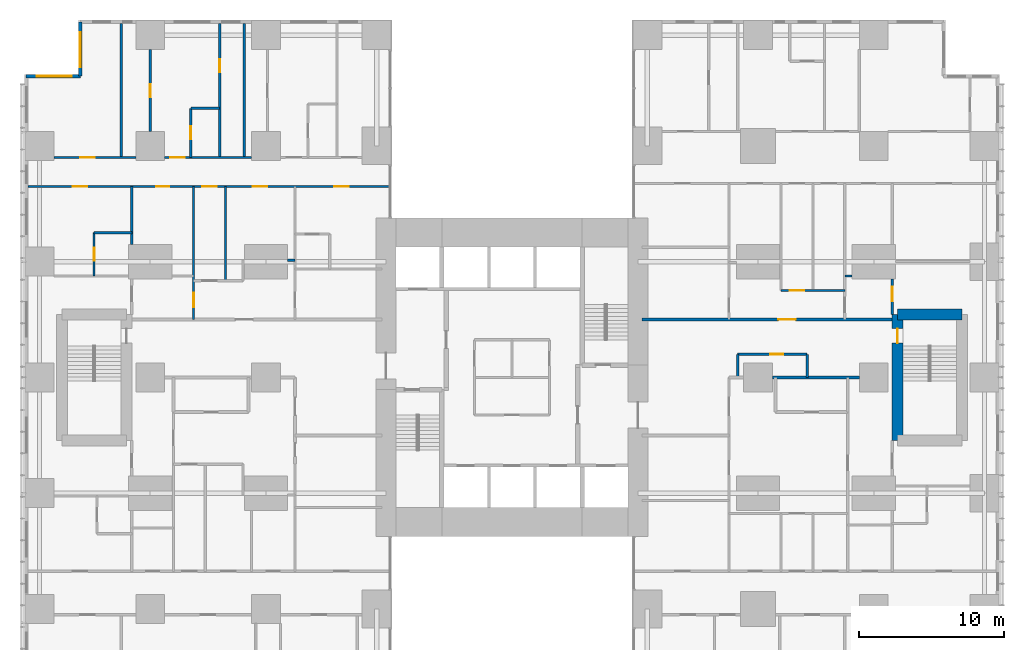
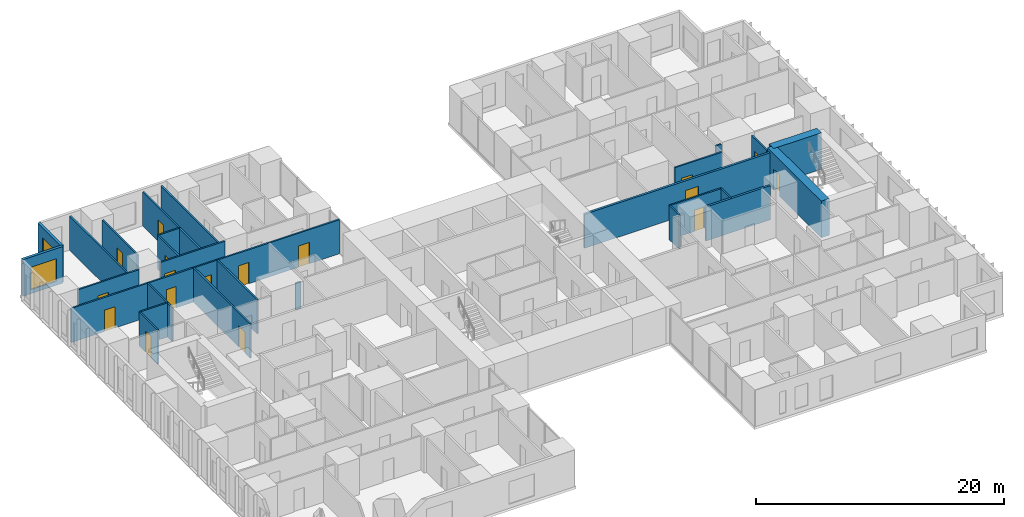
# One storey, part 16 of 20: 27 walls, 17 doors, 2 windows, 19 openings.
"""IFC4 building model written with IfcOpenShell, lengths in metres."""

from ifc_helpers import new_model, si_unit, direction, frame, frame_2d, origin, place, context, subcontext, project, spatial, rectangle, extrude, material, layer, layer_set, type_object, element, fill, save


model = new_model("IFC4")

# Units and contexts
model_context = context("Model", 3, precision=1e-05, world=origin(), true_north=direction((0.0, 1.0)))
body_context = subcontext(model_context, "Body", "Model", "MODEL_VIEW")
ifc_project = project(units=[si_unit("LENGTHUNIT", "METRE"), si_unit("AREAUNIT", "SQUARE_METRE"), si_unit("VOLUMEUNIT", "CUBIC_METRE"), si_unit("PLANEANGLEUNIT", "RADIAN"), si_unit("MASSUNIT", "GRAM", prefix="KILO")], contexts=[model_context])

# Site, building, storey
site_placement = place(None, origin())
site = spatial("IfcSite", under=ifc_project, at=site_placement, CompositionType="ELEMENT")
building_placement = place(site_placement, origin())
building = spatial("IfcBuilding", under=site, at=building_placement, Name="Cleftline Residences", CompositionType="ELEMENT")
storey_placement = place(building_placement, frame((0.0, 0.0, 107.0)))
storey = spatial("IfcBuildingStorey", under=building, at=storey_placement, Name="L27", CompositionType="ELEMENT", Elevation=107.0)

# Wall, opening, window
ifc_material_1 = material(Name="Rendered reinforced concrete blockwork", Category="masonry")
ifc_layer_1 = layer(ifc_material_1, 0.25)
ifc_layer_set_1 = layer_set([ifc_layer_1], Name="EXTERNAL WALL 250")
wall_type_1 = type_object("IfcWallType", Name="EXTERNAL WALL 250", PredefinedType="SOLIDWALL", material=ifc_layer_set_1)
wall_1_placement = place(storey_placement, frame((3.175048828125, 48.574951171875, 0.0), z_axis=(0.0, 0.0, 1.0), x_axis=(0.0, -1.0, 0.0)))
wall_1 = element("IfcWall", 1, at=wall_1_placement, inside=storey, type_object=wall_type_1, Name="External wall", PredefinedType="SOLIDWALL", context=body_context, shape_type="SweptSolid", body=[
    extrude(rectangle(XDim=3.75, YDim=0.25, at=frame_2d((1.875, 0.0))), origin(), (0.0, 0.0, 1.0), 3.60009765625),
])
opening_1_placement = place(wall_1_placement, frame((0.737548828125, 0.0, 0.39990234375)))
opening_1 = element("IfcOpeningElement", 2, at=opening_1_placement, cuts=wall_1, Name="Opening W12", PredefinedType="OPENING", context=body_context, shape_type="SweptSolid", body=[
    extrude(rectangle(XDim=2.39990234375, YDim=2.199951171875, at=frame_2d((1.199951171875, 1.10009765625))), frame((0.0, 0.135009765625, 0.0), z_axis=(0.0, -1.0, 0.0), x_axis=(1.0, 0.0, 0.0)), (0.0, 0.0, 1.0), 0.27001953125),
])
ifc_material_2 = material(Name="Aluminium frame, clear double glazing", Category="aluminium")
window_type = type_object("IfcWindowType", Name="WINDOW 2400X2200", PartitioningType="DOUBLE_PANEL_VERTICAL", PredefinedType="WINDOW", material=ifc_material_2)
window_1_placement = place(opening_1_placement, origin())
window_1 = element("IfcWindow", 3, at=window_1_placement, inside=storey, type_object=window_type, Name="Window", OverallHeight=2.199951171875, OverallWidth=2.39990234375, PartitioningType="SINGLE_PANEL", PredefinedType="WINDOW", context=body_context, shape_type="SweptSolid", body=[
    extrude(rectangle(XDim=2.39990234375, YDim=2.199951171875, at=frame_2d((1.199951171875, 1.10009765625))), frame((0.0, 0.030029296875, 0.0), z_axis=(0.0, -1.0, 0.0), x_axis=(1.0, 0.0, 0.0)), (0.0, 0.0, 1.0), 0.06005859375),
])
fill(opening_1, window_1)

wall_2_placement = place(storey_placement, frame((3.175048828125, 44.824951171875, 0.0), z_axis=(0.0, 0.0, 1.0), x_axis=(-1.0, 0.0, 0.0)))
wall_2 = element("IfcWall", 4, at=wall_2_placement, inside=storey, type_object=wall_type_1, Name="External wall", PredefinedType="SOLIDWALL", context=body_context, shape_type="SweptSolid", body=[
    extrude(rectangle(XDim=3.75, YDim=0.25, at=frame_2d((1.875, 0.0))), origin(), (0.0, 0.0, 1.0), 3.60009765625),
])
opening_2_placement = place(wall_2_placement, frame((0.612548828125, 0.0, 0.39990234375)))
opening_2 = element("IfcOpeningElement", 5, at=opening_2_placement, cuts=wall_2, Name="Opening W12", PredefinedType="OPENING", context=body_context, shape_type="SweptSolid", body=[
    extrude(rectangle(XDim=2.39990234375, YDim=2.199951171875, at=frame_2d((1.199951171875, 1.10009765625))), frame((0.0, 0.135009765625, 0.0), z_axis=(0.0, -1.0, 0.0), x_axis=(1.0, 0.0, 0.0)), (0.0, 0.0, 1.0), 0.27001953125),
])
window_2_placement = place(opening_2_placement, origin())
window_2 = element("IfcWindow", 6, at=window_2_placement, inside=storey, type_object=window_type, Name="Window", OverallHeight=2.199951171875, OverallWidth=2.39990234375, PartitioningType="SINGLE_PANEL", PredefinedType="WINDOW", context=body_context, shape_type="SweptSolid", body=[
    extrude(rectangle(XDim=2.39990234375, YDim=2.199951171875, at=frame_2d((1.199951171875, 1.10009765625))), frame((0.0, 0.030029296875, 0.0), z_axis=(0.0, -1.0, 0.0), x_axis=(1.0, 0.0, 0.0)), (0.0, 0.0, 1.0), 0.06005859375),
])
fill(opening_2, window_2)

# Wall
ifc_material_3 = material(Name="Concrete blockwork, fire rated", Category="masonry")
ifc_layer_2 = layer(ifc_material_3, 0.199951171875)
ifc_layer_set_2 = layer_set([ifc_layer_2], Name="FIRE WALL 200")
wall_type_2 = type_object("IfcWallType", Name="FIRE WALL 200", PredefinedType="PARTITIONING", material=ifc_layer_set_2)
wall_3_placement = place(storey_placement, frame((51.0, 24.0, 0.0), z_axis=(0.0, 0.0, 1.0), x_axis=(1.0, 0.0, 0.0)))
element("IfcWall", 7, at=wall_3_placement, inside=storey, type_object=wall_type_2, Name="Fire separating wall", PredefinedType="PARTITIONING", context=body_context, shape_type="SweptSolid", body=[
    extrude(rectangle(XDim=6.0, YDim=0.199951171875, at=frame_2d((3.0, 0.0))), origin(), (0.0, 0.0, 1.0), 3.35009765625),
])

# Wall, opening, door
wall_4_placement = place(storey_placement, frame((42.0, 28.0, 0.0), z_axis=(0.0, 0.0, 1.0), x_axis=(1.0, 0.0, 0.0)))
wall_4 = element("IfcWall", 8, at=wall_4_placement, inside=storey, type_object=wall_type_2, Name="Fire separating wall", PredefinedType="PARTITIONING", context=body_context, shape_type="SweptSolid", body=[
    extrude(rectangle(XDim=17.27490234375, YDim=0.199951171875, at=frame_2d((8.637451171875, 0.0))), origin(), (0.0, 0.0, 1.0), 3.35009765625),
])
opening_3_placement = place(wall_4_placement, frame((9.39990234375, 0.0, 0.0)))
opening_3 = element("IfcOpeningElement", 9, at=opening_3_placement, cuts=wall_4, Name="Opening D4", PredefinedType="OPENING", context=body_context, shape_type="SweptSolid", body=[
    extrude(rectangle(XDim=1.199951171875, YDim=2.39990234375, at=frame_2d((0.60009765625, 1.199951171875))), frame((0.0, 0.10986328125, 0.0), z_axis=(0.0, -1.0, 0.0), x_axis=(1.0, 0.0, 0.0)), (0.0, 0.0, 1.0), 0.219970703125),
])
ifc_material_4 = material(Name="Timber veneer on solid core", Category="wood")
door_type_1 = type_object("IfcDoorType", Name="APARTMENT ENTRANCE DOOR 1200X2400", OperationType="SINGLE_SWING_RIGHT", PredefinedType="DOOR", material=ifc_material_4)
door_1_placement = place(opening_3_placement, origin())
door_1 = element("IfcDoor", 10, at=door_1_placement, inside=storey, type_object=door_type_1, Name="Door to residence entrance foyer", OperationType="SINGLE_SWING_LEFT", OverallHeight=2.39990234375, OverallWidth=1.199951171875, PredefinedType="DOOR", context=body_context, shape_type="SweptSolid", body=[
    extrude(rectangle(XDim=1.199951171875, YDim=2.39990234375, at=frame_2d((0.60009765625, 1.199951171875))), frame((0.0, 0.02490234375, 0.0), z_axis=(0.0, -1.0, 0.0), x_axis=(1.0, 0.0, 0.0)), (0.0, 0.0, 1.0), 0.050048828125),
])
fill(opening_3, door_1)

ifc_material_5 = material(Name="Gypsum board on steel studs", Category="steel")
ifc_layer_3 = layer(ifc_material_5, 0.14990234375)
ifc_layer_set_3 = layer_set([ifc_layer_3], Name="PARTITION 150")
wall_type_3 = type_object("IfcWallType", Name="PARTITION 150", PredefinedType="PARTITIONING", material=ifc_layer_set_3)
wall_5_placement = place(storey_placement, frame((48.60009765625, 25.60009765625, 0.0), z_axis=(0.0, 0.0, 1.0), x_axis=(1.0, 0.0, 0.0)))
wall_5 = element("IfcWall", 11, at=wall_5_placement, inside=storey, type_object=wall_type_3, Name="Partition", PredefinedType="PARTITIONING", context=body_context, shape_type="SweptSolid", body=[
    extrude(rectangle(XDim=4.7998046875, YDim=0.14990234375, at=frame_2d((2.39990234375, 0.0))), origin(), (0.0, 0.0, 1.0), 3.35009765625),
])
opening_4_placement = place(wall_5_placement, frame((2.25, 0.0, 0.0)))
opening_4 = element("IfcOpeningElement", 12, at=opening_4_placement, cuts=wall_5, Name="Opening D1", PredefinedType="OPENING", context=body_context, shape_type="SweptSolid", body=[
    extrude(rectangle(XDim=0.89990234375, YDim=2.10009765625, at=frame_2d((0.449951171875, 1.050048828125))), frame((0.0, 0.0849609375, 0.0), z_axis=(0.0, -1.0, 0.0), x_axis=(1.0, 0.0, 0.0)), (0.0, 0.0, 1.0), 0.169921875),
])
ifc_material_6 = material(Name="Timber veneer on solid core", Category="wood")
door_type_2 = type_object("IfcDoorType", Name="DOOR 900X2100", OperationType="SINGLE_SWING_LEFT", PredefinedType="DOOR", material=ifc_material_6)
door_2_placement = place(opening_4_placement, origin())
door_2 = element("IfcDoor", 13, at=door_2_placement, inside=storey, type_object=door_type_2, Name="Door to bulky waste room", OperationType="SINGLE_SWING_LEFT", OverallHeight=2.10009765625, OverallWidth=0.89990234375, PredefinedType="DOOR", context=body_context, shape_type="SweptSolid", body=[
    extrude(rectangle(XDim=0.89990234375, YDim=2.10009765625, at=frame_2d((0.449951171875, 1.050048828125))), frame((0.0, 0.02490234375, 0.0), z_axis=(0.0, -1.0, 0.0), x_axis=(1.0, 0.0, 0.0)), (0.0, 0.0, 1.0), 0.050048828125),
])
fill(opening_4, door_2)

wall_6_placement = place(storey_placement, frame((51.60009765625, 30.0, 0.0), z_axis=(0.0, 0.0, 1.0), x_axis=(1.0, 0.0, 0.0)))
wall_6 = element("IfcWall", 14, at=wall_6_placement, inside=storey, type_object=wall_type_3, Name="Partition", PredefinedType="PARTITIONING", context=body_context, shape_type="SweptSolid", body=[
    extrude(rectangle(XDim=4.39990234375, YDim=0.14990234375, at=frame_2d((2.199951171875, 0.0))), origin(), (0.0, 0.0, 1.0), 3.35009765625),
])
opening_5_placement = place(wall_6_placement, frame((0.60009765625, 0.0, 0.0)))
opening_5 = element("IfcOpeningElement", 15, at=opening_5_placement, cuts=wall_6, Name="Opening D2", PredefinedType="OPENING", context=body_context, shape_type="SweptSolid", body=[
    extrude(rectangle(XDim=1.0, YDim=2.10009765625, at=frame_2d((0.5, 1.050048828125))), frame((0.0, 0.0849609375, 0.0), z_axis=(0.0, -1.0, 0.0), x_axis=(1.0, 0.0, 0.0)), (0.0, 0.0, 1.0), 0.169921875),
])
ifc_material_7 = material(Name="Timber veneer on solid core", Category="wood")
door_type_3 = type_object("IfcDoorType", Name="DOOR 1000X2100", OperationType="SINGLE_SWING_LEFT", PredefinedType="DOOR", material=ifc_material_7)
door_3_placement = place(opening_5_placement, origin())
door_3 = element("IfcDoor", 16, at=door_3_placement, inside=storey, type_object=door_type_3, Name="Door to residence passage", OperationType="SINGLE_SWING_RIGHT", OverallHeight=2.10009765625, OverallWidth=1.0, PredefinedType="DOOR", context=body_context, shape_type="SweptSolid", body=[
    extrude(rectangle(XDim=1.0, YDim=2.10009765625, at=frame_2d((0.5, 1.050048828125))), frame((0.0, 0.02490234375, 0.0), z_axis=(0.0, -1.0, 0.0), x_axis=(1.0, 0.0, 0.0)), (0.0, 0.0, 1.0), 0.050048828125),
])
fill(opening_5, door_3)

# Walls
wall_7_placement = place(storey_placement, frame((56.0, 31.0, 0.0), z_axis=(0.0, 0.0, 1.0), x_axis=(1.0, 0.0, 0.0)))
element("IfcWall", 17, at=wall_7_placement, inside=storey, type_object=wall_type_3, Name="Partition", PredefinedType="PARTITIONING", context=body_context, shape_type="SweptSolid", body=[
    extrude(rectangle(XDim=0.5, YDim=0.14990234375, at=frame_2d((0.25, 0.0))), origin(), (0.0, 0.0, 1.0), 3.35009765625),
])
wall_8_placement = place(storey_placement, frame((17.5, 32.10009765625, 0.0), z_axis=(0.0, 0.0, 1.0), x_axis=(1.0, 0.0, 0.0)))
element("IfcWall", 18, at=wall_8_placement, inside=storey, type_object=wall_type_3, Name="Partition", PredefinedType="PARTITIONING", context=body_context, shape_type="SweptSolid", body=[
    extrude(rectangle(XDim=0.5, YDim=0.14990234375, at=frame_2d((0.25, 0.0))), origin(), (0.0, 0.0, 1.0), 2.634033203125),
])
wall_9_placement = place(storey_placement, frame((4.125, 34.0, 0.0), z_axis=(0.0, 0.0, 1.0), x_axis=(1.0, 0.0, 0.0)))
element("IfcWall", 19, at=wall_9_placement, inside=storey, type_object=wall_type_3, Name="Partition", PredefinedType="PARTITIONING", context=body_context, shape_type="SweptSolid", body=[
    extrude(rectangle(XDim=2.60009765625, YDim=0.14990234375, at=frame_2d((1.300048828125, 0.0))), origin(), (0.0, 0.0, 1.0), 3.35009765625),
])

# Wall, openings, doors
wall_10_placement = place(storey_placement, frame((-0.449951171875, 37.199951171875, 0.0), z_axis=(0.0, 0.0, 1.0), x_axis=(1.0, 0.0, 0.0)))
wall_10 = element("IfcWall", 20, at=wall_10_placement, inside=storey, type_object=wall_type_3, Name="Partition", PredefinedType="PARTITIONING", context=body_context, shape_type="SweptSolid", body=[
    extrude(rectangle(XDim=25.010986328125, YDim=0.14990234375, at=frame_2d((12.50537109375, 0.0))), origin(), (0.0, 0.0, 1.0), 3.35009765625),
])
opening_6_placement = place(wall_10_placement, frame((12.050048828125, 0.0, 0.0)))
opening_6 = element("IfcOpeningElement", 21, at=opening_6_placement, cuts=wall_10, Name="Opening D2F30", PredefinedType="OPENING", context=body_context, shape_type="SweptSolid", body=[
    extrude(rectangle(XDim=1.0, YDim=2.10009765625, at=frame_2d((0.5, 1.050048828125))), frame((0.0, 0.0849609375, 0.0), z_axis=(0.0, -1.0, 0.0), x_axis=(1.0, 0.0, 0.0)), (0.0, 0.0, 1.0), 0.169921875),
])
opening_7_placement = place(wall_10_placement, frame((3.08740234375, 0.0, 0.0)))
opening_7 = element("IfcOpeningElement", 22, at=opening_7_placement, cuts=wall_10, Name="Opening D2F30", PredefinedType="OPENING", context=body_context, shape_type="SweptSolid", body=[
    extrude(rectangle(XDim=1.0, YDim=2.10009765625, at=frame_2d((0.5, 1.050048828125))), frame((0.0, 0.0849609375, 0.0), z_axis=(0.0, -1.0, 0.0), x_axis=(1.0, 0.0, 0.0)), (0.0, 0.0, 1.0), 0.169921875),
])
opening_8_placement = place(wall_10_placement, frame((8.862548828125, 0.0, 0.0)))
opening_8 = element("IfcOpeningElement", 23, at=opening_8_placement, cuts=wall_10, Name="Opening D1F30", PredefinedType="OPENING", context=body_context, shape_type="SweptSolid", body=[
    extrude(rectangle(XDim=0.89990234375, YDim=2.10009765625, at=frame_2d((0.449951171875, 1.050048828125))), frame((0.0, 0.0849609375, 0.0), z_axis=(0.0, -1.0, 0.0), x_axis=(1.0, 0.0, 0.0)), (0.0, 0.0, 1.0), 0.169921875),
])
opening_9_placement = place(wall_10_placement, frame((15.550048828125, 0.0, 0.0)))
opening_9 = element("IfcOpeningElement", 24, at=opening_9_placement, cuts=wall_10, Name="Opening D2F30", PredefinedType="OPENING", context=body_context, shape_type="SweptSolid", body=[
    extrude(rectangle(XDim=1.0, YDim=2.10009765625, at=frame_2d((0.5, 1.050048828125))), frame((0.0, 0.0849609375, 0.0), z_axis=(0.0, -1.0, 0.0), x_axis=(1.0, 0.0, 0.0)), (0.0, 0.0, 1.0), 0.169921875),
])
opening_10_placement = place(wall_10_placement, frame((21.175048828125, 0.0, 0.0)))
opening_10 = element("IfcOpeningElement", 25, at=opening_10_placement, cuts=wall_10, Name="Opening D2F30", PredefinedType="OPENING", context=body_context, shape_type="SweptSolid", body=[
    extrude(rectangle(XDim=1.0, YDim=2.10009765625, at=frame_2d((0.5, 1.050048828125))), frame((0.0, 0.0849609375, 0.0), z_axis=(0.0, -1.0, 0.0), x_axis=(1.0, 0.0, 0.0)), (0.0, 0.0, 1.0), 0.169921875),
])
ifc_material_8 = material(Name="Timber veneer on solid core", Category="wood")
door_type_4 = type_object("IfcDoorType", Name="DOOR 1000X2100 EI 30", OperationType="SINGLE_SWING_LEFT", PredefinedType="DOOR", material=ifc_material_8)
door_4_placement = place(opening_6_placement, origin())
door_4 = element("IfcDoor", 26, at=door_4_placement, inside=storey, type_object=door_type_4, Name="Door to residence corridor (bedrooms)", OperationType="SINGLE_SWING_LEFT", OverallHeight=2.10009765625, OverallWidth=1.0, PredefinedType="DOOR", context=body_context, shape_type="SweptSolid", body=[
    extrude(rectangle(XDim=1.0, YDim=2.10009765625, at=frame_2d((0.5, 1.050048828125))), frame((0.0, 0.02490234375, 0.0), z_axis=(0.0, -1.0, 0.0), x_axis=(1.0, 0.0, 0.0)), (0.0, 0.0, 1.0), 0.050048828125),
])
fill(opening_6, door_4)
door_5_placement = place(opening_7_placement, origin())
door_5 = element("IfcDoor", 27, at=door_5_placement, inside=storey, type_object=door_type_4, Name="Door to master bedroom", OperationType="SINGLE_SWING_RIGHT", OverallHeight=2.10009765625, OverallWidth=1.0, PredefinedType="DOOR", context=body_context, shape_type="SweptSolid", body=[
    extrude(rectangle(XDim=1.0, YDim=2.10009765625, at=frame_2d((0.5, 1.050048828125))), frame((0.0, 0.02490234375, 0.0), z_axis=(0.0, -1.0, 0.0), x_axis=(1.0, 0.0, 0.0)), (0.0, 0.0, 1.0), 0.050048828125),
])
fill(opening_7, door_5)
door_6_placement = place(opening_9_placement, origin())
door_6 = element("IfcDoor", 28, at=door_6_placement, inside=storey, type_object=door_type_4, Name="Door to family room", OperationType="SINGLE_SWING_LEFT", OverallHeight=2.10009765625, OverallWidth=1.0, PredefinedType="DOOR", context=body_context, shape_type="SweptSolid", body=[
    extrude(rectangle(XDim=1.0, YDim=2.10009765625, at=frame_2d((0.5, 1.050048828125))), frame((0.0, 0.02490234375, 0.0), z_axis=(0.0, -1.0, 0.0), x_axis=(1.0, 0.0, 0.0)), (0.0, 0.0, 1.0), 0.050048828125),
])
fill(opening_9, door_6)
door_7_placement = place(opening_10_placement, origin())
door_7 = element("IfcDoor", 29, at=door_7_placement, inside=storey, type_object=door_type_4, Name="Door to staff bedroom", OperationType="SINGLE_SWING_LEFT", OverallHeight=2.10009765625, OverallWidth=1.0, PredefinedType="DOOR", context=body_context, shape_type="SweptSolid", body=[
    extrude(rectangle(XDim=1.0, YDim=2.10009765625, at=frame_2d((0.5, 1.050048828125))), frame((0.0, 0.02490234375, 0.0), z_axis=(0.0, -1.0, 0.0), x_axis=(1.0, 0.0, 0.0)), (0.0, 0.0, 1.0), 0.050048828125),
])
fill(opening_10, door_7)
ifc_material_9 = material(Name="Timber veneer on solid core", Category="wood")
door_type_5 = type_object("IfcDoorType", Name="DOOR 900X2100 EI 30", OperationType="SINGLE_SWING_LEFT", PredefinedType="DOOR", material=ifc_material_9)
door_8_placement = place(opening_8_placement, origin())
door_8 = element("IfcDoor", 30, at=door_8_placement, inside=storey, type_object=door_type_5, Name="Door to guest bathroom", OperationType="SINGLE_SWING_RIGHT", OverallHeight=2.10009765625, OverallWidth=0.89990234375, PredefinedType="DOOR", context=body_context, shape_type="SweptSolid", body=[
    extrude(rectangle(XDim=0.89990234375, YDim=2.10009765625, at=frame_2d((0.449951171875, 1.050048828125))), frame((0.0, 0.02490234375, 0.0), z_axis=(0.0, -1.0, 0.0), x_axis=(1.0, 0.0, 0.0)), (0.0, 0.0, 1.0), 0.050048828125),
])
fill(opening_8, door_8)

# Wall, opening, door
wall_11_placement = place(storey_placement, frame((1.35009765625, 39.199951171875, 0.0), z_axis=(0.0, 0.0, 1.0), x_axis=(1.0, 0.0, 0.0)))
wall_11 = element("IfcWall", 31, at=wall_11_placement, inside=storey, type_object=wall_type_3, Name="Partition", PredefinedType="PARTITIONING", context=body_context, shape_type="SweptSolid", body=[
    extrude(rectangle(XDim=5.64990234375, YDim=0.14990234375, at=frame_2d((2.824951171875, 0.0))), origin(), (0.0, 0.0, 1.0), 3.35009765625),
])
opening_11_placement = place(wall_11_placement, frame((1.824951171875, 0.0, 0.0)))
opening_11 = element("IfcOpeningElement", 32, at=opening_11_placement, cuts=wall_11, Name="Opening D2", PredefinedType="OPENING", context=body_context, shape_type="SweptSolid", body=[
    extrude(rectangle(XDim=1.0, YDim=2.10009765625, at=frame_2d((0.5, 1.050048828125))), frame((0.0, 0.0849609375, 0.0), z_axis=(0.0, -1.0, 0.0), x_axis=(1.0, 0.0, 0.0)), (0.0, 0.0, 1.0), 0.169921875),
])
door_9_placement = place(opening_11_placement, origin())
door_9 = element("IfcDoor", 33, at=door_9_placement, inside=storey, type_object=door_type_3, Name="Door to gym", OperationType="SINGLE_SWING_RIGHT", OverallHeight=2.10009765625, OverallWidth=1.0, PredefinedType="DOOR", context=body_context, shape_type="SweptSolid", body=[
    extrude(rectangle(XDim=1.0, YDim=2.10009765625, at=frame_2d((0.5, 1.050048828125))), frame((0.0, 0.02490234375, 0.0), z_axis=(0.0, -1.0, 0.0), x_axis=(1.0, 0.0, 0.0)), (0.0, 0.0, 1.0), 0.050048828125),
])
fill(opening_11, door_9)

wall_12_placement = place(storey_placement, frame((9.0, 39.199951171875, 0.0), z_axis=(0.0, 0.0, 1.0), x_axis=(1.0, 0.0, 0.0)))
wall_12 = element("IfcWall", 34, at=wall_12_placement, inside=storey, type_object=wall_type_3, Name="Partition", PredefinedType="PARTITIONING", context=body_context, shape_type="SweptSolid", body=[
    extrude(rectangle(XDim=6.0, YDim=0.14990234375, at=frame_2d((3.0, 0.0))), origin(), (0.0, 0.0, 1.0), 3.35009765625),
])
opening_12_placement = place(wall_12_placement, frame((0.39990234375, 0.0, 0.0)))
opening_12 = element("IfcOpeningElement", 35, at=opening_12_placement, cuts=wall_12, Name="Opening D2", PredefinedType="OPENING", context=body_context, shape_type="SweptSolid", body=[
    extrude(rectangle(XDim=1.0, YDim=2.10009765625, at=frame_2d((0.5, 1.050048828125))), frame((0.0, 0.0849609375, 0.0), z_axis=(0.0, -1.0, 0.0), x_axis=(1.0, 0.0, 0.0)), (0.0, 0.0, 1.0), 0.169921875),
])
door_10_placement = place(opening_12_placement, origin())
door_10 = element("IfcDoor", 36, at=door_10_placement, inside=storey, type_object=door_type_3, Name="Door to bedroom 2", OperationType="SINGLE_SWING_RIGHT", OverallHeight=2.10009765625, OverallWidth=1.0, PredefinedType="DOOR", context=body_context, shape_type="SweptSolid", body=[
    extrude(rectangle(XDim=1.0, YDim=2.10009765625, at=frame_2d((0.5, 1.050048828125))), frame((0.0, 0.02490234375, 0.0), z_axis=(0.0, -1.0, 0.0), x_axis=(1.0, 0.0, 0.0)), (0.0, 0.0, 1.0), 0.050048828125),
])
fill(opening_12, door_10)

# Wall
wall_13_placement = place(storey_placement, frame((10.800048828125, 42.60009765625, 0.0), z_axis=(0.0, 0.0, 1.0), x_axis=(1.0, 0.0, 0.0)))
element("IfcWall", 37, at=wall_13_placement, inside=storey, type_object=wall_type_3, Name="Partition", PredefinedType="PARTITIONING", context=body_context, shape_type="SweptSolid", body=[
    extrude(rectangle(XDim=2.0, YDim=0.14990234375, at=frame_2d((1.0, 0.0))), origin(), (0.0, 0.0, 1.0), 3.35009765625),
])

# Wall, opening, door
wall_14_placement = place(storey_placement, frame((4.125, 31.0, 0.0), z_axis=(0.0, 0.0, 1.0), x_axis=(0.0, 1.0, 0.0)))
wall_14 = element("IfcWall", 38, at=wall_14_placement, inside=storey, type_object=wall_type_3, Name="Partition", PredefinedType="PARTITIONING", context=body_context, shape_type="SweptSolid", body=[
    extrude(rectangle(XDim=3.0, YDim=0.14990234375, at=frame_2d((1.5, 0.0))), origin(), (0.0, 0.0, 1.0), 3.35009765625),
])
opening_13_placement = place(wall_14_placement, frame((1.050048828125, 0.0, 0.0)))
opening_13 = element("IfcOpeningElement", 39, at=opening_13_placement, cuts=wall_14, Name="Opening D1", PredefinedType="OPENING", context=body_context, shape_type="SweptSolid", body=[
    extrude(rectangle(XDim=0.89990234375, YDim=2.10009765625, at=frame_2d((0.449951171875, 1.050048828125))), frame((0.0, 0.0849609375, 0.0), z_axis=(0.0, -1.0, 0.0), x_axis=(1.0, 0.0, 0.0)), (0.0, 0.0, 1.0), 0.169921875),
])
door_11_placement = place(opening_13_placement, origin())
door_11 = element("IfcDoor", 40, at=door_11_placement, inside=storey, type_object=door_type_2, Name="Door to master bathroom", OperationType="SINGLE_SWING_LEFT", OverallHeight=2.10009765625, OverallWidth=0.89990234375, PredefinedType="DOOR", context=body_context, shape_type="SweptSolid", body=[
    extrude(rectangle(XDim=0.89990234375, YDim=2.10009765625, at=frame_2d((0.449951171875, 1.050048828125))), frame((0.0, 0.02490234375, 0.0), z_axis=(0.0, -1.0, 0.0), x_axis=(1.0, 0.0, 0.0)), (0.0, 0.0, 1.0), 0.050048828125),
])
fill(opening_13, door_11)

# Walls
wall_15_placement = place(storey_placement, frame((6.0, 39.199951171875, 0.0), z_axis=(0.0, 0.0, 1.0), x_axis=(0.0, 1.0, 0.0)))
element("IfcWall", 41, at=wall_15_placement, inside=storey, type_object=wall_type_3, Name="Partition", PredefinedType="PARTITIONING", context=body_context, shape_type="SweptSolid", body=[
    extrude(rectangle(XDim=9.25, YDim=0.14990234375, at=frame_2d((4.625, 0.0))), origin(), (0.0, 0.0, 1.0), 3.35009765625),
])
wall_16_placement = place(storey_placement, frame((6.72509765625, 33.199951171875, 0.0), z_axis=(0.0, 0.0, 1.0), x_axis=(0.0, 1.0, 0.0)))
element("IfcWall", 42, at=wall_16_placement, inside=storey, type_object=wall_type_3, Name="Partition", PredefinedType="PARTITIONING", context=body_context, shape_type="SweptSolid", body=[
    extrude(rectangle(XDim=4.0, YDim=0.14990234375, at=frame_2d((2.0, 0.0))), origin(), (0.0, 0.0, 1.0), 3.35009765625),
])

# Wall, opening, door
wall_17_placement = place(storey_placement, frame((8.0, 41.0, 0.0), z_axis=(0.0, 0.0, 1.0), x_axis=(0.0, 1.0, 0.0)))
wall_17 = element("IfcWall", 43, at=wall_17_placement, inside=storey, type_object=wall_type_3, Name="Partition", PredefinedType="PARTITIONING", context=body_context, shape_type="SweptSolid", body=[
    extrude(rectangle(XDim=5.64990234375, YDim=0.14990234375, at=frame_2d((2.824951171875, 0.0))), origin(), (0.0, 0.0, 1.0), 3.35009765625),
])
opening_14_placement = place(wall_17_placement, frame((2.375, 0.0, 0.0)))
opening_14 = element("IfcOpeningElement", 44, at=opening_14_placement, cuts=wall_17, Name="Opening D1", PredefinedType="OPENING", context=body_context, shape_type="SweptSolid", body=[
    extrude(rectangle(XDim=0.89990234375, YDim=2.10009765625, at=frame_2d((0.449951171875, 1.050048828125))), frame((0.0, 0.0849609375, 0.0), z_axis=(0.0, -1.0, 0.0), x_axis=(1.0, 0.0, 0.0)), (0.0, 0.0, 1.0), 0.169921875),
])
door_12_placement = place(opening_14_placement, origin())
door_12 = element("IfcDoor", 45, at=door_12_placement, inside=storey, type_object=door_type_2, Name="Door to walk-in wardrobe", OperationType="SINGLE_SWING_LEFT", OverallHeight=2.10009765625, OverallWidth=0.89990234375, PredefinedType="DOOR", context=body_context, shape_type="SweptSolid", body=[
    extrude(rectangle(XDim=0.89990234375, YDim=2.10009765625, at=frame_2d((0.449951171875, 1.050048828125))), frame((0.0, 0.02490234375, 0.0), z_axis=(0.0, -1.0, 0.0), x_axis=(1.0, 0.0, 0.0)), (0.0, 0.0, 1.0), 0.050048828125),
])
fill(opening_14, door_12)

wall_18_placement = place(storey_placement, frame((10.800048828125, 39.199951171875, 0.0), z_axis=(0.0, 0.0, 1.0), x_axis=(0.0, 1.0, 0.0)))
wall_18 = element("IfcWall", 46, at=wall_18_placement, inside=storey, type_object=wall_type_3, Name="Partition", PredefinedType="PARTITIONING", context=body_context, shape_type="SweptSolid", body=[
    extrude(rectangle(XDim=3.400146484375, YDim=0.14990234375, at=frame_2d((1.7001953125, 0.0))), origin(), (0.0, 0.0, 1.0), 3.35009765625),
])
opening_15_placement = place(wall_18_placement, frame((1.25, 0.0, 0.0)))
opening_15 = element("IfcOpeningElement", 47, at=opening_15_placement, cuts=wall_18, Name="Opening D1", PredefinedType="OPENING", context=body_context, shape_type="SweptSolid", body=[
    extrude(rectangle(XDim=0.89990234375, YDim=2.10009765625, at=frame_2d((0.449951171875, 1.050048828125))), frame((0.0, 0.0849609375, 0.0), z_axis=(0.0, -1.0, 0.0), x_axis=(1.0, 0.0, 0.0)), (0.0, 0.0, 1.0), 0.169921875),
])
door_13_placement = place(opening_15_placement, origin())
door_13 = element("IfcDoor", 48, at=door_13_placement, inside=storey, type_object=door_type_2, Name="Door to en-suite bathroom 2", OperationType="SINGLE_SWING_LEFT", OverallHeight=2.10009765625, OverallWidth=0.89990234375, PredefinedType="DOOR", context=body_context, shape_type="SweptSolid", body=[
    extrude(rectangle(XDim=0.89990234375, YDim=2.10009765625, at=frame_2d((0.449951171875, 1.050048828125))), frame((0.0, 0.02490234375, 0.0), z_axis=(0.0, -1.0, 0.0), x_axis=(1.0, 0.0, 0.0)), (0.0, 0.0, 1.0), 0.050048828125),
])
fill(opening_15, door_13)

wall_19_placement = place(storey_placement, frame((11.0, 28.0, 0.0), z_axis=(0.0, 0.0, 1.0), x_axis=(0.0, 1.0, 0.0)))
wall_19 = element("IfcWall", 49, at=wall_19_placement, inside=storey, type_object=wall_type_3, Name="Partition", PredefinedType="PARTITIONING", context=body_context, shape_type="SweptSolid", body=[
    extrude(rectangle(XDim=9.199951171875, YDim=0.14990234375, at=frame_2d((4.60009765625, 0.0))), origin(), (0.0, 0.0, 1.0), 3.35009765625),
])
opening_16_placement = place(wall_19_placement, frame((0.83740234375, 0.0, 0.0)))
opening_16 = element("IfcOpeningElement", 50, at=opening_16_placement, cuts=wall_19, Name="Opening D2F30", PredefinedType="OPENING", context=body_context, shape_type="SweptSolid", body=[
    extrude(rectangle(XDim=1.0, YDim=2.10009765625, at=frame_2d((0.5, 1.050048828125))), frame((0.0, 0.0849609375, 0.0), z_axis=(0.0, -1.0, 0.0), x_axis=(1.0, 0.0, 0.0)), (0.0, 0.0, 1.0), 0.169921875),
])
door_14_placement = place(opening_16_placement, origin())
door_14 = element("IfcDoor", 51, at=door_14_placement, inside=storey, type_object=door_type_4, Name="Door to residence lobby (service)", OperationType="SINGLE_SWING_RIGHT", OverallHeight=2.10009765625, OverallWidth=1.0, PredefinedType="DOOR", context=body_context, shape_type="SweptSolid", body=[
    extrude(rectangle(XDim=1.0, YDim=2.10009765625, at=frame_2d((0.5, 1.050048828125))), frame((0.0, 0.02490234375, 0.0), z_axis=(0.0, -1.0, 0.0), x_axis=(1.0, 0.0, 0.0)), (0.0, 0.0, 1.0), 0.050048828125),
])
fill(opening_16, door_14)

wall_20_placement = place(storey_placement, frame((12.800048828125, 39.199951171875, 0.0), z_axis=(0.0, 0.0, 1.0), x_axis=(0.0, 1.0, 0.0)))
wall_20 = element("IfcWall", 52, at=wall_20_placement, inside=storey, type_object=wall_type_3, Name="Partition", PredefinedType="PARTITIONING", context=body_context, shape_type="SweptSolid", body=[
    extrude(rectangle(XDim=9.25, YDim=0.14990234375, at=frame_2d((4.625, 0.0))), origin(), (0.0, 0.0, 1.0), 3.35009765625),
])
opening_17_placement = place(wall_20_placement, frame((5.875, 0.0, 0.0)))
opening_17 = element("IfcOpeningElement", 53, at=opening_17_placement, cuts=wall_20, Name="Opening D1", PredefinedType="OPENING", context=body_context, shape_type="SweptSolid", body=[
    extrude(rectangle(XDim=0.89990234375, YDim=2.10009765625, at=frame_2d((0.449951171875, 1.050048828125))), frame((0.0, 0.0849609375, 0.0), z_axis=(0.0, -1.0, 0.0), x_axis=(1.0, 0.0, 0.0)), (0.0, 0.0, 1.0), 0.169921875),
])
door_15_placement = place(opening_17_placement, origin())
door_15 = element("IfcDoor", 54, at=door_15_placement, inside=storey, type_object=door_type_2, Name="Door to walk-in wardrobe", OperationType="SINGLE_SWING_LEFT", OverallHeight=2.10009765625, OverallWidth=0.89990234375, PredefinedType="DOOR", context=body_context, shape_type="SweptSolid", body=[
    extrude(rectangle(XDim=0.89990234375, YDim=2.10009765625, at=frame_2d((0.449951171875, 1.050048828125))), frame((0.0, 0.02490234375, 0.0), z_axis=(0.0, -1.0, 0.0), x_axis=(1.0, 0.0, 0.0)), (0.0, 0.0, 1.0), 0.050048828125),
])
fill(opening_17, door_15)

# Walls
wall_21_placement = place(storey_placement, frame((13.199951171875, 30.675048828125, 0.0), z_axis=(0.0, 0.0, 1.0), x_axis=(0.0, 1.0, 0.0)))
element("IfcWall", 55, at=wall_21_placement, inside=storey, type_object=wall_type_3, Name="Partition", PredefinedType="PARTITIONING", context=body_context, shape_type="SweptSolid", body=[
    extrude(rectangle(XDim=6.52490234375, YDim=0.14990234375, at=frame_2d((3.262451171875, 0.0))), origin(), (0.0, 0.0, 1.0), 3.35009765625),
])
wall_22_placement = place(storey_placement, frame((14.5, 39.199951171875, 0.0), z_axis=(0.0, 0.0, 1.0), x_axis=(0.0, 1.0, 0.0)))
element("IfcWall", 56, at=wall_22_placement, inside=storey, type_object=wall_type_3, Name="Partition", PredefinedType="PARTITIONING", context=body_context, shape_type="SweptSolid", body=[
    extrude(rectangle(XDim=9.25, YDim=0.14990234375, at=frame_2d((4.625, 0.0))), origin(), (0.0, 0.0, 1.0), 3.35009765625),
])
for number, where, z_axis, x_axis, name in (
    (57, (48.60009765625, 24.0, 0.0), (0.0, 0.0, 1.0), (0.0, 1.0, 0.0), "Partition"),
    (58, (53.39990234375, 24.0, 0.0), (0.0, 0.0, 1.0), (0.0, 1.0, 0.0), "Partition"),
):
    element("IfcWall", number, at=place(storey_placement, frame(where, z_axis=z_axis, x_axis=x_axis)), inside=storey, type_object=wall_type_3, Name=name, PredefinedType="PARTITIONING", context=body_context, shape_type="SweptSolid", body=[
        extrude(rectangle(XDim=1.60009765625, YDim=0.14990234375, at=frame_2d((0.800048828125, 0.0))), origin(), (0.0, 0.0, 1.0), 3.35009765625),
    ])

# Wall, opening, door
wall_23_placement = place(storey_placement, frame((59.27490234375, 28.35009765625, 0.0), z_axis=(0.0, 0.0, 1.0), x_axis=(0.0, 1.0, 0.0)))
wall_23 = element("IfcWall", 59, at=wall_23_placement, inside=storey, type_object=wall_type_3, Name="Partition", PredefinedType="PARTITIONING", context=body_context, shape_type="SweptSolid", body=[
    extrude(rectangle(XDim=2.449951171875, YDim=0.14990234375, at=frame_2d((1.22509765625, 0.0))), origin(), (0.0, 0.0, 1.0), 3.35009765625),
])
opening_18_placement = place(wall_23_placement, frame((0.91259765625, 0.0, 0.0)))
opening_18 = element("IfcOpeningElement", 60, at=opening_18_placement, cuts=wall_23, Name="Opening D2", PredefinedType="OPENING", context=body_context, shape_type="SweptSolid", body=[
    extrude(rectangle(XDim=1.0, YDim=2.10009765625, at=frame_2d((0.5, 1.050048828125))), frame((0.0, 0.0849609375, 0.0), z_axis=(0.0, -1.0, 0.0), x_axis=(1.0, 0.0, 0.0)), (0.0, 0.0, 1.0), 0.169921875),
])
door_16_placement = place(opening_18_placement, origin())
door_16 = element("IfcDoor", 61, at=door_16_placement, inside=storey, type_object=door_type_3, Name="Door to sea-view dining room", OperationType="SINGLE_SWING_LEFT", OverallHeight=2.10009765625, OverallWidth=1.0, PredefinedType="DOOR", context=body_context, shape_type="SweptSolid", body=[
    extrude(rectangle(XDim=1.0, YDim=2.10009765625, at=frame_2d((0.5, 1.050048828125))), frame((0.0, 0.02490234375, 0.0), z_axis=(0.0, -1.0, 0.0), x_axis=(1.0, 0.0, 0.0)), (0.0, 0.0, 1.0), 0.050048828125),
])
fill(opening_18, door_16)

# Wall
ifc_material_10 = material(Name="Concrete B70", Category="concrete")
ifc_layer_4 = layer(ifc_material_10, 0.75)
ifc_layer_set_4 = layer_set([ifc_layer_4], Name="SHEAR WALL 750")
wall_type_4 = type_object("IfcWallType", Name="SHEAR WALL 750", PredefinedType="SHEAR", material=ifc_layer_set_4)
wall_24_placement = place(storey_placement, frame((64.10009765625, 28.35009765625, 0.0), z_axis=(0.0, 0.0, 1.0), x_axis=(-1.0, 0.0, 0.0)))
element("IfcWall", 62, at=wall_24_placement, inside=storey, type_object=wall_type_4, Name="Wing shear wall", PredefinedType="SHEAR", context=body_context, shape_type="SweptSolid", body=[
    extrude(rectangle(XDim=4.4501953125, YDim=0.75, at=frame_2d((2.22509765625, 0.0))), origin(), (0.0, 0.0, 1.0), 3.60009765625),
])

# Wall, opening, door
wall_25_placement = place(storey_placement, frame((59.64990234375, 28.35009765625, 0.0), z_axis=(0.0, 0.0, 1.0), x_axis=(0.0, -1.0, 0.0)))
wall_25 = element("IfcWall", 63, at=wall_25_placement, inside=storey, type_object=wall_type_4, Name="Wing shear wall", PredefinedType="SHEAR", context=body_context, shape_type="SweptSolid", body=[
    extrude(rectangle(XDim=8.7001953125, YDim=0.75, at=frame_2d((4.35009765625, 0.0))), origin(), (0.0, 0.0, 1.0), 3.60009765625),
])
opening_19_placement = place(wall_25_placement, frame((0.97509765625, 0.0, 0.0)))
opening_19 = element("IfcOpeningElement", 64, at=opening_19_placement, cuts=wall_25, Name="Opening D5", PredefinedType="OPENING", context=body_context, shape_type="SweptSolid", body=[
    extrude(rectangle(XDim=1.0, YDim=2.10009765625, at=frame_2d((0.5, 1.050048828125))), frame((0.0, 0.385009765625, 0.0), z_axis=(0.0, -1.0, 0.0), x_axis=(1.0, 0.0, 0.0)), (0.0, 0.0, 1.0), 0.77001953125),
])
ifc_material_11 = material(Name="Steel", Category="steel")
door_type_6 = type_object("IfcDoorType", Name="STAIR DOOR 1000X2100", OperationType="SINGLE_SWING_LEFT", PredefinedType="DOOR", material=ifc_material_11)
door_17_placement = place(opening_19_placement, origin())
door_17 = element("IfcDoor", 65, at=door_17_placement, inside=storey, type_object=door_type_6, Name="Stair E door", OperationType="SINGLE_SWING_RIGHT", OverallHeight=2.10009765625, OverallWidth=1.0, PredefinedType="DOOR", context=body_context, shape_type="SweptSolid", body=[
    extrude(rectangle(XDim=1.0, YDim=2.10009765625, at=frame_2d((0.5, 1.050048828125))), frame((0.0, 0.02490234375, 0.0), z_axis=(0.0, -1.0, 0.0), x_axis=(1.0, 0.0, 0.0)), (0.0, 0.0, 1.0), 0.050048828125),
])
fill(opening_19, door_17)

save(model, "model.ifc")
